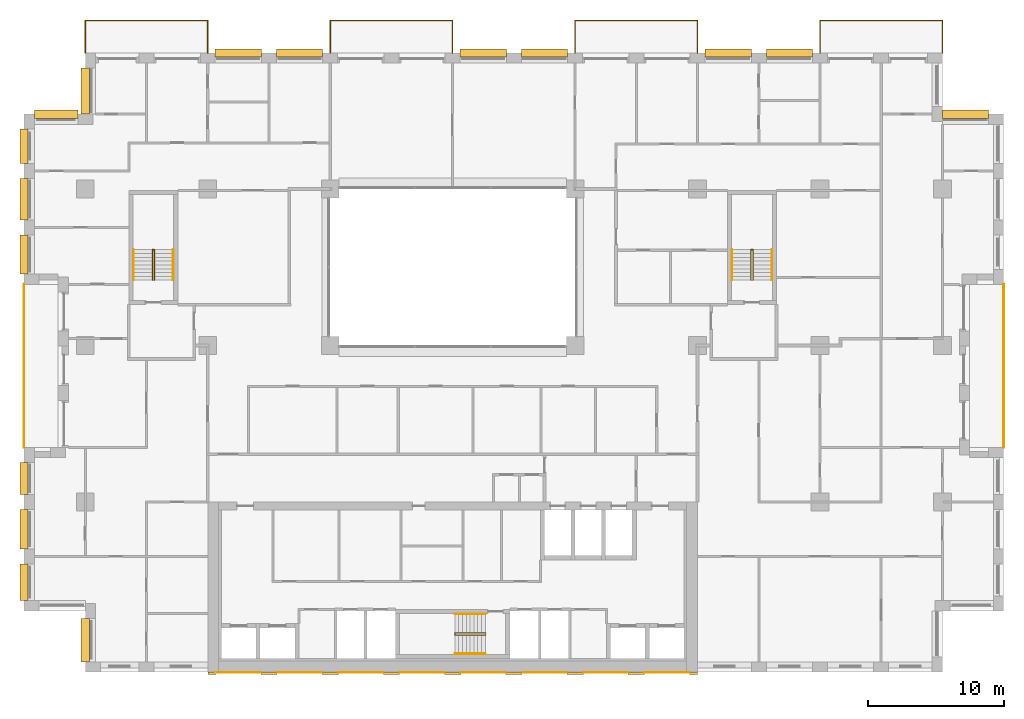
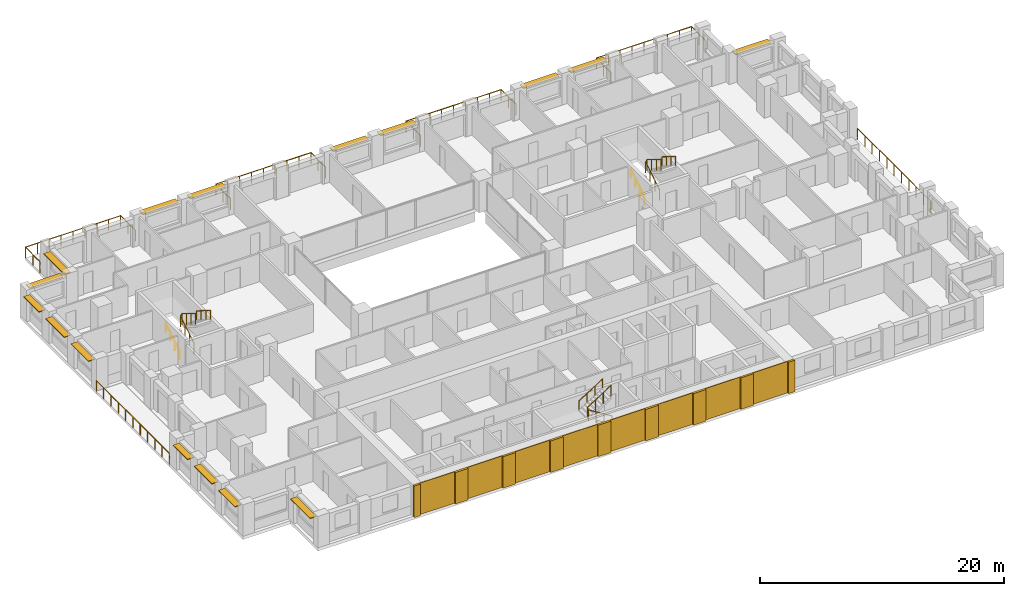
# One storey, part 16 of 16: 17 coverings, 16 shading devices, 15 railings.
"""IFC4 building model written with IfcOpenShell, lengths in metres."""

import ifcopenshell
import ifcopenshell.guid

model = None  # the IFC model being written
_history = None  # IfcOwnerHistory: only IFC2X3 demands one
_inside = {}  # id of a spatial element -> (the spatial element, [elements in it])
_under = {}  # id of a project, library or spatial element -> (it, [spatial elements below it])
_declared = {}  # id of a project -> (the project, [libraries it declares])
_typed = {}  # id of a type object -> (the type object, [elements of that type])
_made_of = {}  # id of a material, layer set ... -> (it, [elements and type objects made of it])


def new_model(schema):
    """Start an empty IFC model of exactly this schema.

    Asked for "IFC4X3", IfcOpenShell would pick the latest addendum, in which some entities
    have other attributes; the version numbers below select the first issue.
    IFC2X3 requires an IfcOwnerHistory on every rooted entity: one is made here for all.
    """
    global model, _history
    if schema == "IFC4X3":
        model = ifcopenshell.file(schema_version=(4, 3, 0, 0))
    else:
        model = ifcopenshell.file(schema=schema)
    _inside.clear()
    _under.clear()
    _declared.clear()
    _typed.clear()
    _made_of.clear()
    _history = None
    if model.schema == "IFC2X3":
        org = make("IfcOrganization", Name="unknown")
        user = make(
            "IfcPersonAndOrganization",
            ThePerson=make("IfcPerson", FamilyName="unknown"),
            TheOrganization=org,
        )
        app = make(
            "IfcApplication",
            ApplicationDeveloper=org,
            Version="unknown",
            ApplicationFullName="unknown",
            ApplicationIdentifier="unknown",
        )
        _history = make(
            "IfcOwnerHistory",
            OwningUser=user,
            OwningApplication=app,
            ChangeAction="ADDED",
            CreationDate=0,
        )
    return model


def make(cls, **values):
    """One entity of the class cls with the attributes given. An attribute that is None is left unset."""
    return model.create_entity(
        cls, **{name: value for name, value in values.items() if value is not None}
    )


def rooted(cls, **values):
    """An entity with a GlobalId (a new one), such as an element, a storey or a relation."""
    return make(cls, GlobalId=ifcopenshell.guid.new(), OwnerHistory=_history, **values)


def si_unit(unit_type, name, prefix=None):
    """IfcSIUnit, for example si_unit("LENGTHUNIT", "METRE", prefix="MILLI")."""
    return make("IfcSIUnit", UnitType=unit_type, Prefix=prefix, Name=name)


def assignment(units):
    """IfcUnitAssignment: the units of a project."""
    return None if units is None else make("IfcUnitAssignment", Units=units)


def point(xyz):
    """IfcCartesianPoint."""
    return None if xyz is None else make("IfcCartesianPoint", Coordinates=xyz)


def direction(xyz):
    """IfcDirection."""
    return None if xyz is None else make("IfcDirection", DirectionRatios=xyz)


def frame(location, z_axis=None, x_axis=None):
    """IfcAxis2Placement3D, a coordinate frame: its origin and axes. An axis left out is left unset."""
    return make(
        "IfcAxis2Placement3D",
        Location=point(location),
        Axis=direction(z_axis),
        RefDirection=direction(x_axis),
    )


def frame_2d(location, x_axis=None):
    """IfcAxis2Placement2D, a coordinate frame in the plane: its origin and x axis."""
    return make(
        "IfcAxis2Placement2D", Location=point(location), RefDirection=direction(x_axis)
    )


def origin():
    """The frame at (0, 0, 0) with its axes left unset."""
    return frame((0.0, 0.0, 0.0))


def origin_2d():
    """The frame at (0, 0) in the plane with its x axis left unset."""
    return frame_2d((0.0, 0.0))


def place(relative_to, where):
    """IfcLocalPlacement: puts the frame where relative to a parent placement (None: the world)."""
    return make(
        "IfcLocalPlacement", PlacementRelTo=relative_to, RelativePlacement=where
    )


def context(
    kind, dimensions, precision=None, world=None, true_north=None, identifier=None
):
    """IfcGeometricRepresentationContext, for example the 3D "Model" context."""
    return make(
        "IfcGeometricRepresentationContext",
        ContextIdentifier=identifier,
        ContextType=kind,
        CoordinateSpaceDimension=dimensions,
        Precision=precision,
        WorldCoordinateSystem=world,
        TrueNorth=true_north,
    )


def subcontext(parent, identifier, kind, view, scale=None):
    """IfcGeometricRepresentationSubContext, for example "Body" below "Model"."""
    return make(
        "IfcGeometricRepresentationSubContext",
        ContextIdentifier=identifier,
        ContextType=kind,
        ParentContext=parent,
        TargetScale=scale,
        TargetView=view,
    )


def project(units=None, contexts=None):
    """IfcProject with its units and contexts."""
    return rooted(
        "IfcProject",
        Name="project",
        RepresentationContexts=contexts,
        UnitsInContext=assignment(units),
    )


def spatial(cls, under=None, at=None, **own):
    """A site, building, storey or space (cls), placed at a placement, below another one or the project."""
    s = rooted(cls, ObjectPlacement=at, **own)
    if under is not None:
        _under.setdefault(under.id(), (under, []))[1].append(s)
    return s


def profile(cls, at=None, kind="AREA", **sizes):
    """A parametric profile (cls). Its sizes go by their IFC names, for example OverallWidth=200.0."""
    return make(cls, ProfileType=kind, Position=at, **sizes)


def rectangle(**sizes):
    """IfcRectangleProfileDef."""
    return profile("IfcRectangleProfileDef", **sizes)


def circle(**sizes):
    """IfcCircleProfileDef."""
    return profile("IfcCircleProfileDef", **sizes)


def extrude(swept, where, along, depth):
    """IfcExtrudedAreaSolid: the profile swept, set in the frame where, extruded along a direction by depth."""
    return make(
        "IfcExtrudedAreaSolid",
        SweptArea=swept,
        Position=where,
        ExtrudedDirection=direction(along),
        Depth=depth,
    )


def shape(context_of_items, identifier, shape_type, items):
    """IfcShapeRepresentation: the items that make up one representation, for example the "Body"."""
    return make(
        "IfcShapeRepresentation",
        ContextOfItems=context_of_items,
        RepresentationIdentifier=identifier,
        RepresentationType=shape_type,
        Items=items,
    )


def material(Name=None, Category=None):
    """IfcMaterial."""
    return make("IfcMaterial", Name=Name, Category=Category)


def layer(
    of_material, thickness, ventilated=None, Name=None, Category=None, Priority=None
):
    """IfcMaterialLayer: one layer of a wall or slab, of a material (None: an air gap)."""
    return make(
        "IfcMaterialLayer",
        Material=of_material,
        LayerThickness=thickness,
        IsVentilated=ventilated,
        Name=Name,
        Category=Category,
        Priority=Priority,
    )


def layer_set(layers, Name=None):
    """IfcMaterialLayerSet."""
    return make("IfcMaterialLayerSet", MaterialLayers=layers, LayerSetName=Name)


def made_of(thing, what):
    """Note that an element or type object is made of a material, layer set ...; save() writes the relation."""
    if what is not None:
        _made_of.setdefault(what.id(), (what, []))[1].append(thing)
    return thing


def type_object(cls, material=None, **own):
    """A type object (cls), such as IfcWallType, which elements share."""
    return made_of(rooted(cls, **own), material)


def element(
    cls,
    number,
    at=None,
    inside=None,
    cuts=None,
    type_object=None,
    material=None,
    context=None,
    identifier="Body",
    shape_type=None,
    held_by="IfcProductDefinitionShape",
    body=None,
    shapes=None,
    **own,
):
    """One element of the class cls, such as IfcWall. Its Tag is "e" and its number.

    at: its placement. inside: the storey or other place that contains it. cuts: it is an
    opening in that element (IfcRelVoidsElement). A single representation is given by context,
    identifier, shape_type and body (its items); several are given by shapes. held_by: the class
    of the entity that holds the representations. save() writes the other relations.
    """
    e = rooted(cls, Tag="e%d" % number, ObjectPlacement=at, **own)
    if body is not None:
        shapes = [shape(context, identifier, shape_type, body)]
    if shapes is not None:
        e.Representation = make(held_by, Representations=shapes)
    if inside is not None:
        _inside.setdefault(inside.id(), (inside, []))[1].append(e)
    if cuts is not None:
        rooted(
            "IfcRelVoidsElement", RelatingBuildingElement=cuts, RelatedOpeningElement=e
        )
    if type_object is not None:
        _typed.setdefault(type_object.id(), (type_object, []))[1].append(e)
    return made_of(e, material)


def aggregate(whole, parts):
    """IfcRelAggregates: a whole, such as a stair, and the parts it consists of."""
    return rooted("IfcRelAggregates", RelatingObject=whole, RelatedObjects=parts)


def save(model, path):
    """Write the relations noted so far, then the file.

    IfcRelAggregates (storeys below a building ...), IfcRelContainedInSpatialStructure (elements
    in a storey), IfcRelDefinesByType, IfcRelAssociatesMaterial and IfcRelDeclares: one each for
    every whole, place, type object, material and project.
    """
    for whole, parts in _under.values():
        aggregate(whole, parts)
    for where, things in _inside.values():
        rooted(
            "IfcRelContainedInSpatialStructure",
            RelatedElements=things,
            RelatingStructure=where,
        )
    for kind, things in _typed.values():
        rooted("IfcRelDefinesByType", RelatedObjects=things, RelatingType=kind)
    for what, things in _made_of.values():
        rooted("IfcRelAssociatesMaterial", RelatedObjects=things, RelatingMaterial=what)
    for by, libraries in _declared.values():
        rooted("IfcRelDeclares", RelatingContext=by, RelatedDefinitions=libraries)
    model.write(path)


model = new_model("IFC4")

# Units and contexts
model_context = context("Model", 3, precision=1e-05, world=origin(), true_north=direction((0.0, 1.0)))
body_context = subcontext(model_context, "Body", "Model", "MODEL_VIEW")
ifc_project = project(units=[si_unit("LENGTHUNIT", "METRE"), si_unit("AREAUNIT", "SQUARE_METRE"), si_unit("VOLUMEUNIT", "CUBIC_METRE"), si_unit("PLANEANGLEUNIT", "RADIAN"), si_unit("MASSUNIT", "GRAM", prefix="KILO")], contexts=[model_context])

# Site, building, storey
site_placement = place(None, origin())
site = spatial("IfcSite", under=ifc_project, at=site_placement, CompositionType="ELEMENT")
building_placement = place(site_placement, origin())
building = spatial("IfcBuilding", under=site, at=building_placement, Name="Brigalow Station Residences", CompositionType="ELEMENT")
storey_placement = place(building_placement, frame((0.0, 0.0, 86.699951171875)))
storey = spatial("IfcBuildingStorey", under=building, at=storey_placement, Name="L24", CompositionType="ELEMENT", Elevation=86.699951171875)

# Railings
ifc_material_1 = material(Name="Stainless steel balustrade with laminated glass infill", Category="steel")
railing_type_1 = type_object("IfcRailingType", Name="BALCONY GUARD 1100", PredefinedType="GUARDRAIL", material=ifc_material_1)
railing_1_placement = place(storey_placement, frame((76.5, 16.5, -0.0400390625)))
element("IfcRailing", 1, at=railing_1_placement, inside=storey, type_object=railing_type_1, Name="L24/balcony-guard/1", PredefinedType="GUARDRAIL", context=body_context, shape_type="SweptSolid", body=[
    extrude(circle(Radius=0.02392578125, at=origin_2d()), frame((0.0, 0.0, 1.076171875), z_axis=(0.0, 1.0, 0.0), x_axis=(-1.0, 0.0, 0.0)), (0.0, 0.0, 1.0), 12.0),
    extrude(circle(Radius=0.02099609375, at=origin_2d()), origin(), (0.0, 0.0, 1.0), 1.052001953125),
    extrude(circle(Radius=0.02099609375, at=origin_2d()), frame((0.0, 1.199951171875, 0.0)), (0.0, 0.0, 1.0), 1.052001953125),
    extrude(circle(Radius=0.02099609375, at=origin_2d()), frame((0.0, 2.39990234375, 0.0)), (0.0, 0.0, 1.0), 1.052001953125),
    extrude(circle(Radius=0.02099609375, at=origin_2d()), frame((0.0, 3.60009765625, 0.0)), (0.0, 0.0, 1.0), 1.052001953125),
    extrude(circle(Radius=0.02099609375, at=origin_2d()), frame((0.0, 4.800048828125, 0.0)), (0.0, 0.0, 1.0), 1.052001953125),
    extrude(circle(Radius=0.02099609375, at=origin_2d()), frame((0.0, 6.0, 0.0)), (0.0, 0.0, 1.0), 1.052001953125),
    extrude(circle(Radius=0.02099609375, at=origin_2d()), frame((0.0, 7.199951171875, 0.0)), (0.0, 0.0, 1.0), 1.052001953125),
    extrude(circle(Radius=0.02099609375, at=origin_2d()), frame((0.0, 8.39990234375, 0.0)), (0.0, 0.0, 1.0), 1.052001953125),
    extrude(circle(Radius=0.02099609375, at=origin_2d()), frame((0.0, 9.60009765625, 0.0)), (0.0, 0.0, 1.0), 1.052001953125),
    extrude(circle(Radius=0.02099609375, at=origin_2d()), frame((0.0, 10.800048828125, 0.0)), (0.0, 0.0, 1.0), 1.052001953125),
    extrude(circle(Radius=0.02099609375, at=origin_2d()), frame((0.0, 12.0, 0.0)), (0.0, 0.0, 1.0), 1.052001953125),
])
railing_2_placement = place(storey_placement, frame((72.0, 45.5, -0.0400390625)))
element("IfcRailing", 2, at=railing_2_placement, inside=storey, type_object=railing_type_1, Name="L24/balcony-guard/2", PredefinedType="GUARDRAIL", context=body_context, shape_type="SweptSolid", body=[
    extrude(circle(Radius=0.02392578125, at=origin_2d()), frame((0.0, 0.0, 1.076171875), z_axis=(0.0, 1.0, 0.0), x_axis=(-1.0, 0.0, 0.0)), (0.0, 0.0, 1.0), 2.39990234375),
    extrude(circle(Radius=0.02392578125, at=origin_2d()), frame((0.0, 2.39990234375, 1.076171875), z_axis=(-1.0, 0.0, 0.0), x_axis=(0.0, -1.0, 0.0)), (0.0, 0.0, 1.0), 9.0),
    extrude(circle(Radius=0.02392578125, at=origin_2d()), frame((-9.0, 2.39990234375, 1.076171875), z_axis=(0.0, -1.0, 0.0), x_axis=(1.0, 0.0, 0.0)), (0.0, 0.0, 1.0), 2.39990234375),
    extrude(circle(Radius=0.02099609375, at=origin_2d()), origin(), (0.0, 0.0, 1.0), 1.052001953125),
    extrude(circle(Radius=0.02099609375, at=origin_2d()), frame((0.0, 1.199951171875, 0.0)), (0.0, 0.0, 1.0), 1.052001953125),
    extrude(circle(Radius=0.02099609375, at=origin_2d()), frame((0.0, 2.39990234375, 0.0)), (0.0, 0.0, 1.0), 1.052001953125),
    extrude(circle(Radius=0.02099609375, at=origin_2d()), frame((-1.125, 2.39990234375, 0.0)), (0.0, 0.0, 1.0), 1.052001953125),
    extrude(circle(Radius=0.02099609375, at=origin_2d()), frame((-2.25, 2.39990234375, 0.0)), (0.0, 0.0, 1.0), 1.052001953125),
    extrude(circle(Radius=0.02099609375, at=origin_2d()), frame((-3.375, 2.39990234375, 0.0)), (0.0, 0.0, 1.0), 1.052001953125),
    extrude(circle(Radius=0.02099609375, at=origin_2d()), frame((-4.5, 2.39990234375, 0.0)), (0.0, 0.0, 1.0), 1.052001953125),
    extrude(circle(Radius=0.02099609375, at=origin_2d()), frame((-5.625, 2.39990234375, 0.0)), (0.0, 0.0, 1.0), 1.052001953125),
    extrude(circle(Radius=0.02099609375, at=origin_2d()), frame((-6.75, 2.39990234375, 0.0)), (0.0, 0.0, 1.0), 1.052001953125),
    extrude(circle(Radius=0.02099609375, at=origin_2d()), frame((-7.875, 2.39990234375, 0.0)), (0.0, 0.0, 1.0), 1.052001953125),
    extrude(circle(Radius=0.02099609375, at=origin_2d()), frame((-9.0, 2.39990234375, 0.0)), (0.0, 0.0, 1.0), 1.052001953125),
    extrude(circle(Radius=0.02099609375, at=origin_2d()), frame((-9.0, 1.199951171875, 0.0)), (0.0, 0.0, 1.0), 1.052001953125),
    extrude(circle(Radius=0.02099609375, at=origin_2d()), frame((-9.0, 0.0, 0.0)), (0.0, 0.0, 1.0), 1.052001953125),
])
railing_3_placement = place(storey_placement, frame((54.0, 45.5, -0.0400390625)))
element("IfcRailing", 3, at=railing_3_placement, inside=storey, type_object=railing_type_1, Name="L24/balcony-guard/3", PredefinedType="GUARDRAIL", context=body_context, shape_type="SweptSolid", body=[
    extrude(circle(Radius=0.02392578125, at=origin_2d()), frame((0.0, 0.0, 1.076171875), z_axis=(0.0, 1.0, 0.0), x_axis=(-1.0, 0.0, 0.0)), (0.0, 0.0, 1.0), 2.39990234375),
    extrude(circle(Radius=0.02392578125, at=origin_2d()), frame((0.0, 2.39990234375, 1.076171875), z_axis=(-1.0, 0.0, 0.0), x_axis=(0.0, -1.0, 0.0)), (0.0, 0.0, 1.0), 9.0),
    extrude(circle(Radius=0.02392578125, at=origin_2d()), frame((-9.0, 2.39990234375, 1.076171875), z_axis=(0.0, -1.0, 0.0), x_axis=(1.0, 0.0, 0.0)), (0.0, 0.0, 1.0), 2.39990234375),
    extrude(circle(Radius=0.02099609375, at=origin_2d()), origin(), (0.0, 0.0, 1.0), 1.052001953125),
    extrude(circle(Radius=0.02099609375, at=origin_2d()), frame((0.0, 1.199951171875, 0.0)), (0.0, 0.0, 1.0), 1.052001953125),
    extrude(circle(Radius=0.02099609375, at=origin_2d()), frame((0.0, 2.39990234375, 0.0)), (0.0, 0.0, 1.0), 1.052001953125),
    extrude(circle(Radius=0.02099609375, at=origin_2d()), frame((-1.125, 2.39990234375, 0.0)), (0.0, 0.0, 1.0), 1.052001953125),
    extrude(circle(Radius=0.02099609375, at=origin_2d()), frame((-2.25, 2.39990234375, 0.0)), (0.0, 0.0, 1.0), 1.052001953125),
    extrude(circle(Radius=0.02099609375, at=origin_2d()), frame((-3.375, 2.39990234375, 0.0)), (0.0, 0.0, 1.0), 1.052001953125),
    extrude(circle(Radius=0.02099609375, at=origin_2d()), frame((-4.5, 2.39990234375, 0.0)), (0.0, 0.0, 1.0), 1.052001953125),
    extrude(circle(Radius=0.02099609375, at=origin_2d()), frame((-5.625, 2.39990234375, 0.0)), (0.0, 0.0, 1.0), 1.052001953125),
    extrude(circle(Radius=0.02099609375, at=origin_2d()), frame((-6.75, 2.39990234375, 0.0)), (0.0, 0.0, 1.0), 1.052001953125),
    extrude(circle(Radius=0.02099609375, at=origin_2d()), frame((-7.875, 2.39990234375, 0.0)), (0.0, 0.0, 1.0), 1.052001953125),
    extrude(circle(Radius=0.02099609375, at=origin_2d()), frame((-9.0, 2.39990234375, 0.0)), (0.0, 0.0, 1.0), 1.052001953125),
    extrude(circle(Radius=0.02099609375, at=origin_2d()), frame((-9.0, 1.199951171875, 0.0)), (0.0, 0.0, 1.0), 1.052001953125),
    extrude(circle(Radius=0.02099609375, at=origin_2d()), frame((-9.0, 0.0, 0.0)), (0.0, 0.0, 1.0), 1.052001953125),
])
railing_4_placement = place(storey_placement, frame((36.0, 45.5, -0.0400390625)))
element("IfcRailing", 4, at=railing_4_placement, inside=storey, type_object=railing_type_1, Name="L24/balcony-guard/4", PredefinedType="GUARDRAIL", context=body_context, shape_type="SweptSolid", body=[
    extrude(circle(Radius=0.02392578125, at=origin_2d()), frame((0.0, 0.0, 1.076171875), z_axis=(0.0, 1.0, 0.0), x_axis=(-1.0, 0.0, 0.0)), (0.0, 0.0, 1.0), 2.39990234375),
    extrude(circle(Radius=0.02392578125, at=origin_2d()), frame((0.0, 2.39990234375, 1.076171875), z_axis=(-1.0, 0.0, 0.0), x_axis=(0.0, -1.0, 0.0)), (0.0, 0.0, 1.0), 9.0),
    extrude(circle(Radius=0.02392578125, at=origin_2d()), frame((-9.0, 2.39990234375, 1.076171875), z_axis=(0.0, -1.0, 0.0), x_axis=(1.0, 0.0, 0.0)), (0.0, 0.0, 1.0), 2.39990234375),
    extrude(circle(Radius=0.02099609375, at=origin_2d()), origin(), (0.0, 0.0, 1.0), 1.052001953125),
    extrude(circle(Radius=0.02099609375, at=origin_2d()), frame((0.0, 1.199951171875, 0.0)), (0.0, 0.0, 1.0), 1.052001953125),
    extrude(circle(Radius=0.02099609375, at=origin_2d()), frame((0.0, 2.39990234375, 0.0)), (0.0, 0.0, 1.0), 1.052001953125),
    extrude(circle(Radius=0.02099609375, at=origin_2d()), frame((-1.125, 2.39990234375, 0.0)), (0.0, 0.0, 1.0), 1.052001953125),
    extrude(circle(Radius=0.02099609375, at=origin_2d()), frame((-2.25, 2.39990234375, 0.0)), (0.0, 0.0, 1.0), 1.052001953125),
    extrude(circle(Radius=0.02099609375, at=origin_2d()), frame((-3.375, 2.39990234375, 0.0)), (0.0, 0.0, 1.0), 1.052001953125),
    extrude(circle(Radius=0.02099609375, at=origin_2d()), frame((-4.5, 2.39990234375, 0.0)), (0.0, 0.0, 1.0), 1.052001953125),
    extrude(circle(Radius=0.02099609375, at=origin_2d()), frame((-5.625, 2.39990234375, 0.0)), (0.0, 0.0, 1.0), 1.052001953125),
    extrude(circle(Radius=0.02099609375, at=origin_2d()), frame((-6.75, 2.39990234375, 0.0)), (0.0, 0.0, 1.0), 1.052001953125),
    extrude(circle(Radius=0.02099609375, at=origin_2d()), frame((-7.875, 2.39990234375, 0.0)), (0.0, 0.0, 1.0), 1.052001953125),
    extrude(circle(Radius=0.02099609375, at=origin_2d()), frame((-9.0, 2.39990234375, 0.0)), (0.0, 0.0, 1.0), 1.052001953125),
    extrude(circle(Radius=0.02099609375, at=origin_2d()), frame((-9.0, 1.199951171875, 0.0)), (0.0, 0.0, 1.0), 1.052001953125),
    extrude(circle(Radius=0.02099609375, at=origin_2d()), frame((-9.0, 0.0, 0.0)), (0.0, 0.0, 1.0), 1.052001953125),
])
railing_5_placement = place(storey_placement, frame((18.0, 45.5, -0.0400390625)))
element("IfcRailing", 5, at=railing_5_placement, inside=storey, type_object=railing_type_1, Name="L24/balcony-guard/5", PredefinedType="GUARDRAIL", context=body_context, shape_type="SweptSolid", body=[
    extrude(circle(Radius=0.02392578125, at=origin_2d()), frame((0.0, 0.0, 1.076171875), z_axis=(0.0, 1.0, 0.0), x_axis=(-1.0, 0.0, 0.0)), (0.0, 0.0, 1.0), 2.39990234375),
    extrude(circle(Radius=0.02392578125, at=origin_2d()), frame((0.0, 2.39990234375, 1.076171875), z_axis=(-1.0, 0.0, 0.0), x_axis=(0.0, -1.0, 0.0)), (0.0, 0.0, 1.0), 9.0),
    extrude(circle(Radius=0.02392578125, at=origin_2d()), frame((-9.0, 2.39990234375, 1.076171875), z_axis=(0.0, -1.0, 0.0), x_axis=(1.0, 0.0, 0.0)), (0.0, 0.0, 1.0), 2.39990234375),
    extrude(circle(Radius=0.02099609375, at=origin_2d()), origin(), (0.0, 0.0, 1.0), 1.052001953125),
    extrude(circle(Radius=0.02099609375, at=origin_2d()), frame((0.0, 1.199951171875, 0.0)), (0.0, 0.0, 1.0), 1.052001953125),
    extrude(circle(Radius=0.02099609375, at=origin_2d()), frame((0.0, 2.39990234375, 0.0)), (0.0, 0.0, 1.0), 1.052001953125),
    extrude(circle(Radius=0.02099609375, at=origin_2d()), frame((-1.125, 2.39990234375, 0.0)), (0.0, 0.0, 1.0), 1.052001953125),
    extrude(circle(Radius=0.02099609375, at=origin_2d()), frame((-2.25, 2.39990234375, 0.0)), (0.0, 0.0, 1.0), 1.052001953125),
    extrude(circle(Radius=0.02099609375, at=origin_2d()), frame((-3.375, 2.39990234375, 0.0)), (0.0, 0.0, 1.0), 1.052001953125),
    extrude(circle(Radius=0.02099609375, at=origin_2d()), frame((-4.5, 2.39990234375, 0.0)), (0.0, 0.0, 1.0), 1.052001953125),
    extrude(circle(Radius=0.02099609375, at=origin_2d()), frame((-5.625, 2.39990234375, 0.0)), (0.0, 0.0, 1.0), 1.052001953125),
    extrude(circle(Radius=0.02099609375, at=origin_2d()), frame((-6.75, 2.39990234375, 0.0)), (0.0, 0.0, 1.0), 1.052001953125),
    extrude(circle(Radius=0.02099609375, at=origin_2d()), frame((-7.875, 2.39990234375, 0.0)), (0.0, 0.0, 1.0), 1.052001953125),
    extrude(circle(Radius=0.02099609375, at=origin_2d()), frame((-9.0, 2.39990234375, 0.0)), (0.0, 0.0, 1.0), 1.052001953125),
    extrude(circle(Radius=0.02099609375, at=origin_2d()), frame((-9.0, 1.199951171875, 0.0)), (0.0, 0.0, 1.0), 1.052001953125),
    extrude(circle(Radius=0.02099609375, at=origin_2d()), frame((-9.0, 0.0, 0.0)), (0.0, 0.0, 1.0), 1.052001953125),
])
railing_6_placement = place(storey_placement, frame((4.5, 28.5, -0.0400390625)))
element("IfcRailing", 6, at=railing_6_placement, inside=storey, type_object=railing_type_1, Name="L24/balcony-guard/6", PredefinedType="GUARDRAIL", context=body_context, shape_type="SweptSolid", body=[
    extrude(circle(Radius=0.02392578125, at=origin_2d()), frame((0.0, 0.0, 1.076171875), z_axis=(0.0, -1.0, 0.0), x_axis=(1.0, 0.0, 0.0)), (0.0, 0.0, 1.0), 12.0),
    extrude(circle(Radius=0.02099609375, at=origin_2d()), origin(), (0.0, 0.0, 1.0), 1.052001953125),
    extrude(circle(Radius=0.02099609375, at=origin_2d()), frame((0.0, -1.199951171875, 0.0)), (0.0, 0.0, 1.0), 1.052001953125),
    extrude(circle(Radius=0.02099609375, at=origin_2d()), frame((0.0, -2.39990234375, 0.0)), (0.0, 0.0, 1.0), 1.052001953125),
    extrude(circle(Radius=0.02099609375, at=origin_2d()), frame((0.0, -3.60009765625, 0.0)), (0.0, 0.0, 1.0), 1.052001953125),
    extrude(circle(Radius=0.02099609375, at=origin_2d()), frame((0.0, -4.800048828125, 0.0)), (0.0, 0.0, 1.0), 1.052001953125),
    extrude(circle(Radius=0.02099609375, at=origin_2d()), frame((0.0, -6.0, 0.0)), (0.0, 0.0, 1.0), 1.052001953125),
    extrude(circle(Radius=0.02099609375, at=origin_2d()), frame((0.0, -7.199951171875, 0.0)), (0.0, 0.0, 1.0), 1.052001953125),
    extrude(circle(Radius=0.02099609375, at=origin_2d()), frame((0.0, -8.39990234375, 0.0)), (0.0, 0.0, 1.0), 1.052001953125),
    extrude(circle(Radius=0.02099609375, at=origin_2d()), frame((0.0, -9.60009765625, 0.0)), (0.0, 0.0, 1.0), 1.052001953125),
    extrude(circle(Radius=0.02099609375, at=origin_2d()), frame((0.0, -10.800048828125, 0.0)), (0.0, 0.0, 1.0), 1.052001953125),
    extrude(circle(Radius=0.02099609375, at=origin_2d()), frame((0.0, -12.0, 0.0)), (0.0, 0.0, 1.0), 1.052001953125),
])

# Coverings
ifc_material_2 = material(Name="Clay brick masonry", Category="masonry")
ifc_layer_1 = layer(ifc_material_2, 0.06005859375)
ifc_layer_set_1 = layer_set([ifc_layer_1], Name="BRICK PANEL FACING 60")
covering_type_1 = type_object("IfcCoveringType", Name="BRICK PANEL FACING 60", PredefinedType="CLADDING", material=ifc_layer_set_1)
for number, where, z_axis, x_axis, name in (
    (7, (20.25, -0.030029296875, 0.0), (0.0, 0.0, 1.0), (1.0, 0.0, 0.0), "L24/rear-facing/panel-1"),
    (8, (24.75, -0.030029296875, 0.0), (0.0, 0.0, 1.0), (1.0, 0.0, 0.0), "L24/rear-facing/panel-2"),
    (9, (29.25, -0.030029296875, 0.0), (0.0, 0.0, 1.0), (1.0, 0.0, 0.0), "L24/rear-facing/panel-3"),
    (10, (33.75, -0.030029296875, 0.0), (0.0, 0.0, 1.0), (1.0, 0.0, 0.0), "L24/rear-facing/panel-4"),
    (11, (38.25, -0.030029296875, 0.0), (0.0, 0.0, 1.0), (1.0, 0.0, 0.0), "L24/rear-facing/panel-5"),
    (12, (42.75, -0.030029296875, 0.0), (0.0, 0.0, 1.0), (1.0, 0.0, 0.0), "L24/rear-facing/panel-6"),
    (13, (47.25, -0.030029296875, 0.0), (0.0, 0.0, 1.0), (1.0, 0.0, 0.0), "L24/rear-facing/panel-7"),
    (14, (51.75, -0.030029296875, 0.0), (0.0, 0.0, 1.0), (1.0, 0.0, 0.0), "L24/rear-facing/panel-8"),
):
    element("IfcCovering", number, at=place(storey_placement, frame(where, z_axis=z_axis, x_axis=x_axis)), inside=storey, type_object=covering_type_1, Name=name, PredefinedType="CLADDING", context=body_context, shape_type="SweptSolid", body=[
        extrude(rectangle(XDim=3.300048828125, YDim=0.06005859375, at=origin_2d()), origin(), (0.0, 0.0, 1.0), 3.14990234375),
    ])
ifc_material_3 = material(Name="Clay brick masonry", Category="masonry")
ifc_layer_2 = layer(ifc_material_3, 0.199951171875)
ifc_layer_set_2 = layer_set([ifc_layer_2], Name="BRICK PIER FACING 200")
covering_type_2 = type_object("IfcCoveringType", Name="BRICK PIER FACING 200", PredefinedType="CLADDING", material=ifc_layer_set_2)
covering_1_placement = place(storey_placement, frame((18.300048828125, -0.10009765625, 0.0), z_axis=(0.0, 0.0, 1.0), x_axis=(1.0, 0.0, 0.0)))
element("IfcCovering", 15, at=covering_1_placement, inside=storey, type_object=covering_type_2, Name="L24/rear-facing/pier-1", PredefinedType="CLADDING", context=body_context, shape_type="SweptSolid", body=[
    extrude(rectangle(XDim=0.60009765625, YDim=0.199951171875, at=origin_2d()), origin(), (0.0, 0.0, 1.0), 3.14990234375),
])
for number, where, z_axis, x_axis, name in (
    (16, (22.5, -0.10009765625, 0.0), (0.0, 0.0, 1.0), (1.0, 0.0, 0.0), "L24/rear-facing/pier-2"),
    (17, (27.0, -0.10009765625, 0.0), (0.0, 0.0, 1.0), (1.0, 0.0, 0.0), "L24/rear-facing/pier-3"),
    (18, (31.5, -0.10009765625, 0.0), (0.0, 0.0, 1.0), (1.0, 0.0, 0.0), "L24/rear-facing/pier-4"),
    (19, (36.0, -0.10009765625, 0.0), (0.0, 0.0, 1.0), (1.0, 0.0, 0.0), "L24/rear-facing/pier-5"),
    (20, (40.5, -0.10009765625, 0.0), (0.0, 0.0, 1.0), (1.0, 0.0, 0.0), "L24/rear-facing/pier-6"),
    (21, (45.0, -0.10009765625, 0.0), (0.0, 0.0, 1.0), (1.0, 0.0, 0.0), "L24/rear-facing/pier-7"),
    (22, (49.5, -0.10009765625, 0.0), (0.0, 0.0, 1.0), (1.0, 0.0, 0.0), "L24/rear-facing/pier-8"),
):
    element("IfcCovering", number, at=place(storey_placement, frame(where, z_axis=z_axis, x_axis=x_axis)), inside=storey, type_object=covering_type_2, Name=name, PredefinedType="CLADDING", context=body_context, shape_type="SweptSolid", body=[
        extrude(rectangle(XDim=1.199951171875, YDim=0.199951171875, at=origin_2d()), origin(), (0.0, 0.0, 1.0), 3.14990234375),
    ])
covering_2_placement = place(storey_placement, frame((53.699951171875, -0.10009765625, 0.0), z_axis=(0.0, 0.0, 1.0), x_axis=(1.0, 0.0, 0.0)))
element("IfcCovering", 23, at=covering_2_placement, inside=storey, type_object=covering_type_2, Name="L24/rear-facing/pier-9", PredefinedType="CLADDING", context=body_context, shape_type="SweptSolid", body=[
    extrude(rectangle(XDim=0.60009765625, YDim=0.199951171875, at=origin_2d()), origin(), (0.0, 0.0, 1.0), 3.14990234375),
])

# Railings
ifc_material_4 = material(Name="Stainless steel balustrade", Category="steel")
railing_type_2 = type_object("IfcRailingType", Name="STAIR GUARD 1100", PredefinedType="GUARDRAIL", material=ifc_material_4)
railing_7_placement = place(storey_placement, frame((38.39990234375, 2.72998046875, 0.175048828125)))
element("IfcRailing", 24, at=railing_7_placement, inside=storey, type_object=railing_type_2, Name="GUARD GR-2", PredefinedType="GUARDRAIL", context=body_context, shape_type="SweptSolid", body=[
    extrude(circle(Radius=0.02392578125, at=origin_2d()), frame((0.0, 0.0, 1.076171875), z_axis=(-0.848013881152, 0.0, 0.529974015752), x_axis=(0.0, -1.0, 0.0)), (0.0, 0.0, 1.0), 2.641357421875),
    extrude(circle(Radius=0.02392578125, at=origin_2d()), frame((-2.239990234375, 0.0, 2.47607421875), z_axis=(0.0, 0.624960567888, 0.780656319122), x_axis=(-1.0, 0.0, 0.0)), (0.0, 0.0, 1.0), 0.22412109375),
    extrude(circle(Radius=0.02392578125, at=origin_2d()), frame((-2.239990234375, 0.14013671875, 2.65087890625), z_axis=(0.847972341737, 0.0, 0.530040477369), x_axis=(0.0, 1.0, 0.0)), (0.0, 0.0, 1.0), 2.6416015625),
    extrude(circle(Radius=0.02099609375, at=origin_2d()), origin(), (0.0, 0.0, 1.0), 1.052001953125),
    extrude(circle(Radius=0.02099609375, at=origin_2d()), frame((-0.74658203125, 0.0, 0.466552734375)), (0.0, 0.0, 1.0), 1.052001953125),
    extrude(circle(Radius=0.02099609375, at=origin_2d()), frame((-1.493408203125, 0.0, 0.933349609375)), (0.0, 0.0, 1.0), 1.052001953125),
    extrude(circle(Radius=0.02099609375, at=origin_2d()), frame((-2.239990234375, 0.0, 1.39990234375)), (0.0, 0.0, 1.0), 1.052001953125),
    extrude(circle(Radius=0.02099609375, at=origin_2d()), frame((-2.239990234375, 0.14013671875, 1.574951171875)), (0.0, 0.0, 1.0), 1.052001953125),
    extrude(circle(Radius=0.02099609375, at=origin_2d()), frame((-1.493408203125, 0.14013671875, 2.041748046875)), (0.0, 0.0, 1.0), 1.052001953125),
    extrude(circle(Radius=0.02099609375, at=origin_2d()), frame((-0.74658203125, 0.14013671875, 2.50830078125)), (0.0, 0.0, 1.0), 1.052001953125),
    extrude(circle(Radius=0.02099609375, at=origin_2d()), frame((0.0, 0.14013671875, 2.97509765625)), (0.0, 0.0, 1.0), 1.052001953125),
])
for number, where, name in (
    (25, (13.929931640625, 28.800048828125, 0.175048828125), "GUARD GR-1"),
    (26, (57.929931640625, 28.800048828125, 0.175048828125), "GUARD GR-3"),
):
    element("IfcRailing", number, at=place(storey_placement, frame(where)), inside=storey, type_object=railing_type_2, Name=name, PredefinedType="GUARDRAIL", context=body_context, shape_type="SweptSolid", body=[
        extrude(circle(Radius=0.02392578125, at=origin_2d()), frame((0.0, 0.0, 1.076171875), z_axis=(0.0, 0.848013881152, 0.529974015752), x_axis=(-1.0, 0.0, 0.0)), (0.0, 0.0, 1.0), 2.641357421875),
        extrude(circle(Radius=0.02392578125, at=origin_2d()), frame((0.0, 2.239990234375, 2.47607421875), z_axis=(0.624960567888, 0.0, 0.780656319122), x_axis=(0.0, 1.0, 0.0)), (0.0, 0.0, 1.0), 0.22412109375),
        extrude(circle(Radius=0.02392578125, at=origin_2d()), frame((0.14013671875, 2.239990234375, 2.65087890625), z_axis=(0.0, -0.847972341737, 0.530040477369), x_axis=(1.0, 0.0, 0.0)), (0.0, 0.0, 1.0), 2.6416015625),
        extrude(circle(Radius=0.02099609375, at=origin_2d()), origin(), (0.0, 0.0, 1.0), 1.052001953125),
        extrude(circle(Radius=0.02099609375, at=origin_2d()), frame((0.0, 0.74658203125, 0.466552734375)), (0.0, 0.0, 1.0), 1.052001953125),
        extrude(circle(Radius=0.02099609375, at=origin_2d()), frame((0.0, 1.493408203125, 0.933349609375)), (0.0, 0.0, 1.0), 1.052001953125),
        extrude(circle(Radius=0.02099609375, at=origin_2d()), frame((0.0, 2.239990234375, 1.39990234375)), (0.0, 0.0, 1.0), 1.052001953125),
        extrude(circle(Radius=0.02099609375, at=origin_2d()), frame((0.14013671875, 2.239990234375, 1.574951171875)), (0.0, 0.0, 1.0), 1.052001953125),
        extrude(circle(Radius=0.02099609375, at=origin_2d()), frame((0.14013671875, 1.493408203125, 2.041748046875)), (0.0, 0.0, 1.0), 1.052001953125),
        extrude(circle(Radius=0.02099609375, at=origin_2d()), frame((0.14013671875, 0.74658203125, 2.50830078125)), (0.0, 0.0, 1.0), 1.052001953125),
        extrude(circle(Radius=0.02099609375, at=origin_2d()), frame((0.14013671875, 0.0, 2.97509765625)), (0.0, 0.0, 1.0), 1.052001953125),
    ])
ifc_material_5 = material(Name="Stainless steel handrail", Category="steel")
railing_type_3 = type_object("IfcRailingType", Name="STAIR HANDRAIL 900", PredefinedType="HANDRAIL", material=ifc_material_5)
railing_8_placement = place(storey_placement, frame((38.39990234375, 1.340087890625, 0.175048828125)))
element("IfcRailing", 27, at=railing_8_placement, inside=storey, type_object=railing_type_3, Name="HANDRAIL HR-21", PredefinedType="HANDRAIL", context=body_context, shape_type="SweptSolid", body=[
    extrude(circle(Radius=0.02392578125, at=origin_2d()), frame((0.0, 0.0, 0.8759765625), z_axis=(-0.848013881152, 0.0, 0.529974015752), x_axis=(0.0, -1.0, 0.0)), (0.0, 0.0, 1.0), 2.641357421875),
    extrude(circle(Radius=0.02099609375, at=origin_2d()), origin(), (0.0, 0.0, 1.0), 0.851806640625),
    extrude(circle(Radius=0.02099609375, at=origin_2d()), frame((-0.74658203125, 0.0, 0.466552734375)), (0.0, 0.0, 1.0), 0.851806640625),
    extrude(circle(Radius=0.02099609375, at=origin_2d()), frame((-1.493408203125, 0.0, 0.933349609375)), (0.0, 0.0, 1.0), 0.851806640625),
    extrude(circle(Radius=0.02099609375, at=origin_2d()), frame((-2.239990234375, 0.0, 1.39990234375)), (0.0, 0.0, 1.0), 0.851806640625),
])
railing_9_placement = place(storey_placement, frame((36.159912109375, 4.260009765625, 1.75)))
element("IfcRailing", 28, at=railing_9_placement, inside=storey, type_object=railing_type_3, Name="HANDRAIL HR-22", PredefinedType="HANDRAIL", context=body_context, shape_type="SweptSolid", body=[
    extrude(circle(Radius=0.02392578125, at=origin_2d()), frame((0.0, 0.0, 0.8759765625), z_axis=(0.847972341737, 0.0, 0.530040477369), x_axis=(0.0, 1.0, 0.0)), (0.0, 0.0, 1.0), 2.6416015625),
    extrude(circle(Radius=0.02099609375, at=origin_2d()), origin(), (0.0, 0.0, 1.0), 0.851806640625),
    extrude(circle(Radius=0.02099609375, at=origin_2d()), frame((0.74658203125, 0.0, 0.466796875)), (0.0, 0.0, 1.0), 0.851806640625),
    extrude(circle(Radius=0.02099609375, at=origin_2d()), frame((1.493408203125, 0.0, 0.933349609375)), (0.0, 0.0, 1.0), 0.851806640625),
    extrude(circle(Radius=0.02099609375, at=origin_2d()), frame((2.239990234375, 0.0, 1.400146484375)), (0.0, 0.0, 1.0), 0.851806640625),
])
railing_10_placement = place(storey_placement, frame((12.5400390625, 28.800048828125, 0.175048828125)))
element("IfcRailing", 29, at=railing_10_placement, inside=storey, type_object=railing_type_3, Name="HANDRAIL HR-11", PredefinedType="HANDRAIL", context=body_context, shape_type="SweptSolid", body=[
    extrude(circle(Radius=0.02392578125, at=origin_2d()), frame((0.0, 0.0, 0.8759765625), z_axis=(0.0, 0.848013881152, 0.529974015752), x_axis=(-1.0, 0.0, 0.0)), (0.0, 0.0, 1.0), 2.641357421875),
    extrude(circle(Radius=0.02099609375, at=origin_2d()), origin(), (0.0, 0.0, 1.0), 0.851806640625),
    extrude(circle(Radius=0.02099609375, at=origin_2d()), frame((0.0, 0.74658203125, 0.466552734375)), (0.0, 0.0, 1.0), 0.851806640625),
    extrude(circle(Radius=0.02099609375, at=origin_2d()), frame((0.0, 1.493408203125, 0.933349609375)), (0.0, 0.0, 1.0), 0.851806640625),
    extrude(circle(Radius=0.02099609375, at=origin_2d()), frame((0.0, 2.239990234375, 1.39990234375)), (0.0, 0.0, 1.0), 0.851806640625),
])
railing_11_placement = place(storey_placement, frame((15.4599609375, 31.0400390625, 1.75)))
element("IfcRailing", 30, at=railing_11_placement, inside=storey, type_object=railing_type_3, Name="HANDRAIL HR-12", PredefinedType="HANDRAIL", context=body_context, shape_type="SweptSolid", body=[
    extrude(circle(Radius=0.02392578125, at=origin_2d()), frame((0.0, 0.0, 0.8759765625), z_axis=(0.0, -0.847972341737, 0.530040477369), x_axis=(1.0, 0.0, 0.0)), (0.0, 0.0, 1.0), 2.6416015625),
    extrude(circle(Radius=0.02099609375, at=origin_2d()), origin(), (0.0, 0.0, 1.0), 0.851806640625),
    extrude(circle(Radius=0.02099609375, at=origin_2d()), frame((0.0, -0.74658203125, 0.466796875)), (0.0, 0.0, 1.0), 0.851806640625),
    extrude(circle(Radius=0.02099609375, at=origin_2d()), frame((0.0, -1.493408203125, 0.933349609375)), (0.0, 0.0, 1.0), 0.851806640625),
    extrude(circle(Radius=0.02099609375, at=origin_2d()), frame((0.0, -2.239990234375, 1.400146484375)), (0.0, 0.0, 1.0), 0.851806640625),
])
railing_12_placement = place(storey_placement, frame((56.5400390625, 28.800048828125, 0.175048828125)))
element("IfcRailing", 31, at=railing_12_placement, inside=storey, type_object=railing_type_3, Name="HANDRAIL HR-31", PredefinedType="HANDRAIL", context=body_context, shape_type="SweptSolid", body=[
    extrude(circle(Radius=0.02392578125, at=origin_2d()), frame((0.0, 0.0, 0.8759765625), z_axis=(0.0, 0.848013881152, 0.529974015752), x_axis=(-1.0, 0.0, 0.0)), (0.0, 0.0, 1.0), 2.641357421875),
    extrude(circle(Radius=0.02099609375, at=origin_2d()), origin(), (0.0, 0.0, 1.0), 0.851806640625),
    extrude(circle(Radius=0.02099609375, at=origin_2d()), frame((0.0, 0.74658203125, 0.466552734375)), (0.0, 0.0, 1.0), 0.851806640625),
    extrude(circle(Radius=0.02099609375, at=origin_2d()), frame((0.0, 1.493408203125, 0.933349609375)), (0.0, 0.0, 1.0), 0.851806640625),
    extrude(circle(Radius=0.02099609375, at=origin_2d()), frame((0.0, 2.239990234375, 1.39990234375)), (0.0, 0.0, 1.0), 0.851806640625),
])
railing_13_placement = place(storey_placement, frame((59.4599609375, 31.0400390625, 1.75)))
element("IfcRailing", 32, at=railing_13_placement, inside=storey, type_object=railing_type_3, Name="HANDRAIL HR-32", PredefinedType="HANDRAIL", context=body_context, shape_type="SweptSolid", body=[
    extrude(circle(Radius=0.02392578125, at=origin_2d()), frame((0.0, 0.0, 0.8759765625), z_axis=(0.0, -0.847972341737, 0.530040477369), x_axis=(1.0, 0.0, 0.0)), (0.0, 0.0, 1.0), 2.6416015625),
    extrude(circle(Radius=0.02099609375, at=origin_2d()), origin(), (0.0, 0.0, 1.0), 0.851806640625),
    extrude(circle(Radius=0.02099609375, at=origin_2d()), frame((0.0, -0.74658203125, 0.466796875)), (0.0, 0.0, 1.0), 0.851806640625),
    extrude(circle(Radius=0.02099609375, at=origin_2d()), frame((0.0, -1.493408203125, 0.933349609375)), (0.0, 0.0, 1.0), 0.851806640625),
    extrude(circle(Radius=0.02099609375, at=origin_2d()), frame((0.0, -2.239990234375, 1.400146484375)), (0.0, 0.0, 1.0), 0.851806640625),
])

# Shading devices
ifc_material_6 = material(Name="Powder-coated extruded aluminium blade", Category="aluminium")
ifc_layer_3 = layer(ifc_material_6, 0.080078125)
ifc_layer_set_3 = layer_set([ifc_layer_3], Name="SUNSHADE BLADE 600x80")
shading_device_type = type_object("IfcShadingDeviceType", Name="SUNSHADE BLADE 600x80", PredefinedType="JALOUSIE", material=ifc_layer_set_3)
for number, where, z_axis, x_axis, name in (
    (33, (73.699951171875, 41.0, 2.550048828125), (0.0, 0.0, 1.0), (-1.0, 0.0, 0.0), "L24/blade/W-L24-21"),
    (34, (60.75, 45.5, 2.550048828125), (0.0, 0.0, 1.0), (-1.0, 0.0, 0.0), "L24/blade/W-L24-25"),
    (35, (56.25, 45.5, 2.550048828125), (0.0, 0.0, 1.0), (-1.0, 0.0, 0.0), "L24/blade/W-L24-26"),
    (36, (42.75, 45.5, 2.550048828125), (0.0, 0.0, 1.0), (-1.0, 0.0, 0.0), "L24/blade/W-L24-29"),
    (37, (38.25, 45.5, 2.550048828125), (0.0, 0.0, 1.0), (-1.0, 0.0, 0.0), "L24/blade/W-L24-30"),
    (38, (24.75, 45.5, 2.550048828125), (0.0, 0.0, 1.0), (-1.0, 0.0, 0.0), "L24/blade/W-L24-33"),
    (39, (20.25, 45.5, 2.550048828125), (0.0, 0.0, 1.0), (-1.0, 0.0, 0.0), "L24/blade/W-L24-34"),
    (40, (9.0, 42.699951171875, 2.550048828125), (0.0, 0.0, 1.0), (0.0, -1.0, 0.0), "L24/blade/W-L24-37"),
):
    element("IfcShadingDevice", number, at=place(storey_placement, frame(where, z_axis=z_axis, x_axis=x_axis)), inside=storey, type_object=shading_device_type, Name=name, PredefinedType="JALOUSIE", context=body_context, shape_type="SweptSolid", body=[
        extrude(rectangle(XDim=3.39990234375, YDim=0.60009765625, at=origin_2d()), origin(), (0.0, 0.0, 1.0), 0.080078125),
    ])
shading_device_1_placement = place(storey_placement, frame((6.85009765625, 41.0, 2.550048828125), z_axis=(0.0, 0.0, 1.0), x_axis=(-1.0, 0.0, 0.0)))
element("IfcShadingDevice", 41, at=shading_device_1_placement, inside=storey, type_object=shading_device_type, Name="L24/blade/W-L24-38", PredefinedType="JALOUSIE", context=body_context, shape_type="SweptSolid", body=[
    extrude(rectangle(XDim=3.199951171875, YDim=0.60009765625, at=origin_2d()), origin(), (0.0, 0.0, 1.0), 0.080078125),
])
shading_device_2_placement = place(storey_placement, frame((4.5, 38.6416015625, 2.550048828125), z_axis=(0.0, 0.0, 1.0), x_axis=(0.0, -1.0, 0.0)))
element("IfcShadingDevice", 42, at=shading_device_2_placement, inside=storey, type_object=shading_device_type, Name="L24/blade/W-L24-39", PredefinedType="JALOUSIE", context=body_context, shape_type="SweptSolid", body=[
    extrude(rectangle(XDim=2.51708984375, YDim=0.60009765625, at=origin_2d()), origin(), (0.0, 0.0, 1.0), 0.080078125),
])
shading_device_3_placement = place(storey_placement, frame((4.5, 34.75, 2.550048828125), z_axis=(0.0, 0.0, 1.0), x_axis=(0.0, -1.0, 0.0)))
element("IfcShadingDevice", 43, at=shading_device_3_placement, inside=storey, type_object=shading_device_type, Name="L24/blade/W-L24-40", PredefinedType="JALOUSIE", context=body_context, shape_type="SweptSolid", body=[
    extrude(rectangle(XDim=3.06591796875, YDim=0.60009765625, at=origin_2d()), origin(), (0.0, 0.0, 1.0), 0.080078125),
])
shading_device_4_placement = place(storey_placement, frame((4.5, 30.68359375, 2.550048828125), z_axis=(0.0, 0.0, 1.0), x_axis=(0.0, -1.0, 0.0)))
element("IfcShadingDevice", 44, at=shading_device_4_placement, inside=storey, type_object=shading_device_type, Name="L24/blade/W-L24-41", PredefinedType="JALOUSIE", context=body_context, shape_type="SweptSolid", body=[
    extrude(rectangle(XDim=2.866943359375, YDim=0.60009765625, at=origin_2d()), origin(), (0.0, 0.0, 1.0), 0.080078125),
])
shading_device_5_placement = place(storey_placement, frame((4.5, 14.22509765625, 2.550048828125), z_axis=(0.0, 0.0, 1.0), x_axis=(0.0, -1.0, 0.0)))
element("IfcShadingDevice", 45, at=shading_device_5_placement, inside=storey, type_object=shading_device_type, Name="L24/blade/W-L24-47", PredefinedType="JALOUSIE", context=body_context, shape_type="SweptSolid", body=[
    extrude(rectangle(XDim=2.35009765625, YDim=0.60009765625, at=origin_2d()), origin(), (0.0, 0.0, 1.0), 0.080078125),
])
shading_device_6_placement = place(storey_placement, frame((4.5, 10.5, 2.550048828125), z_axis=(0.0, 0.0, 1.0), x_axis=(0.0, -1.0, 0.0)))
element("IfcShadingDevice", 46, at=shading_device_6_placement, inside=storey, type_object=shading_device_type, Name="L24/blade/W-L24-48", PredefinedType="JALOUSIE", context=body_context, shape_type="SweptSolid", body=[
    extrude(rectangle(XDim=2.89990234375, YDim=0.60009765625, at=origin_2d()), origin(), (0.0, 0.0, 1.0), 0.080078125),
])
shading_device_7_placement = place(storey_placement, frame((4.5, 6.60009765625, 2.550048828125), z_axis=(0.0, 0.0, 1.0), x_axis=(0.0, -1.0, 0.0)))
element("IfcShadingDevice", 47, at=shading_device_7_placement, inside=storey, type_object=shading_device_type, Name="L24/blade/W-L24-49", PredefinedType="JALOUSIE", context=body_context, shape_type="SweptSolid", body=[
    extrude(rectangle(XDim=2.699951171875, YDim=0.60009765625, at=origin_2d()), origin(), (0.0, 0.0, 1.0), 0.080078125),
])
shading_device_8_placement = place(storey_placement, frame((9.0, 2.35009765625, 2.550048828125), z_axis=(0.0, 0.0, 1.0), x_axis=(0.0, -1.0, 0.0)))
element("IfcShadingDevice", 48, at=shading_device_8_placement, inside=storey, type_object=shading_device_type, Name="L24/blade/W-L24-51", PredefinedType="JALOUSIE", context=body_context, shape_type="SweptSolid", body=[
    extrude(rectangle(XDim=3.199951171875, YDim=0.60009765625, at=origin_2d()), origin(), (0.0, 0.0, 1.0), 0.080078125),
])

save(model, "model.ifc")
